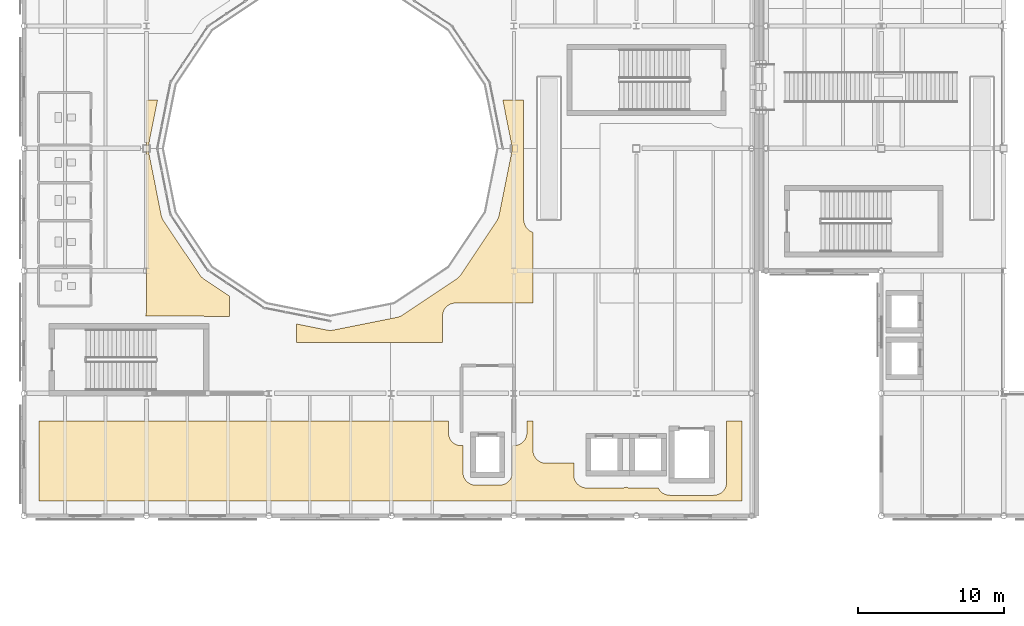
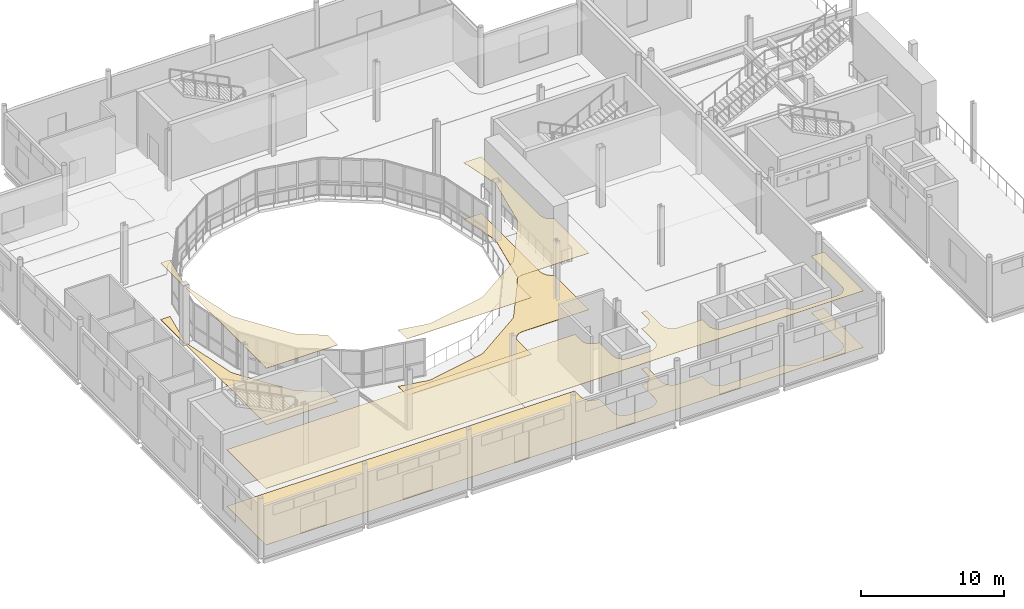
# One storey, part 87 of 104: 6 coverings.
"""IFC4 building model written with IfcOpenShell, lengths in metres."""

from ifc_helpers import new_model, si_unit, direction, frame, origin, place, context, subcontext, project, spatial, polyline, outline, extrude, material, layer, layer_set, type_object, element, save


model = new_model("IFC4")

# Units and contexts
model_context = context("Model", 3, precision=1e-05, world=origin(), true_north=direction((0.0, 1.0)))
body_context = subcontext(model_context, "Body", "Model", "MODEL_VIEW")
ifc_project = project(units=[si_unit("LENGTHUNIT", "METRE"), si_unit("AREAUNIT", "SQUARE_METRE"), si_unit("VOLUMEUNIT", "CUBIC_METRE"), si_unit("PLANEANGLEUNIT", "RADIAN"), si_unit("MASSUNIT", "GRAM", prefix="KILO"), si_unit("THERMODYNAMICTEMPERATUREUNIT", "KELVIN")], contexts=[model_context])

# Site, building, storey
site_placement = place(None, origin())
site = spatial("IfcSite", under=ifc_project, at=site_placement, CompositionType="ELEMENT")
building_placement = place(site_placement, origin())
building = spatial("IfcBuilding", under=site, at=building_placement, Name="Lustrewick Department Store", CompositionType="ELEMENT")
storey_placement = place(building_placement, frame((0.0, 0.0, 11.39990234375)))
storey = spatial("IfcBuildingStorey", under=building, at=storey_placement, Name="L03", CompositionType="ELEMENT", Elevation=11.39990234375)

# Coverings
ifc_material_1 = material(Name="Perforated mineral-fibre acoustic ceiling board", Category="gypsum")
ifc_layer_1 = layer(ifc_material_1, 0.02490234375, Name="Perforated mineral-fibre acoustic ceiling board")
ifc_layer_set_1 = layer_set([ifc_layer_1], Name="Perforated mineral-fibre acoustic ceiling board")
covering_type_1 = type_object("IfcCoveringType", Name="COV-CEIL", PredefinedType="CEILING", material=ifc_layer_set_1)
covering_1_placement = place(storey_placement, frame((0.0, 0.0, 4.820068359375)))
element("IfcCovering", 1, at=covering_1_placement, inside=storey, type_object=covering_type_1, Name="L03 V1 Retail Merchandise Gallery 1 Acoustic Ceiling", PredefinedType="CEILING", context=body_context, shape_type="SweptSolid", body=[
    extrude(outline(polyline([(9.419921875, 48.510009765625), (9.419921875, 43.02001953125), (57.6298828125, 43.02001953125), (57.6298828125, 48.510009765625), (56.590087890625, 48.510009765625), (56.590087890625, 44.297119140625), (56.585693359375, 44.21240234375), (56.5732421875, 44.12841796875), (56.572509765625, 44.125), (56.56884765625, 44.107421875), (56.568115234375, 44.104248046875), (56.54541015625, 44.021484375), (56.5146484375, 43.94140625), (56.513427734375, 43.938720703125), (56.51220703125, 43.936279296875), (56.47900390625, 43.869384765625), (56.476806640625, 43.865478515625), (56.439208984375, 43.80419921875), (56.396484375, 43.74609375), (56.392822265625, 43.741455078125), (56.329345703125, 43.670654296875), (56.258544921875, 43.607177734375), (56.25390625, 43.603515625), (56.19580078125, 43.560791015625), (56.134521484375, 43.523193359375), (56.130615234375, 43.52099609375), (56.063720703125, 43.48779296875), (56.061279296875, 43.486572265625), (56.05859375, 43.4853515625), (55.978515625, 43.45458984375), (55.895751953125, 43.431884765625), (55.892578125, 43.43115234375), (55.875, 43.427490234375), (55.87158203125, 43.4267578125), (55.78759765625, 43.414306640625), (55.702880859375, 43.409912109375), (52.697021484375, 43.409912109375), (52.6123046875, 43.414306640625), (52.5283203125, 43.4267578125), (52.52490234375, 43.427490234375), (52.507568359375, 43.43115234375), (52.50439453125, 43.431884765625), (52.42138671875, 43.45458984375), (52.341552734375, 43.4853515625), (52.3388671875, 43.486572265625), (52.336181640625, 43.48779296875), (52.26953125, 43.52099609375), (52.265625, 43.523193359375), (52.2041015625, 43.560791015625), (52.14599609375, 43.603515625), (52.141357421875, 43.607177734375), (52.070556640625, 43.670654296875), (52.007080078125, 43.741455078125), (52.00341796875, 43.74609375), (51.9609375, 43.80419921875), (51.92333984375, 43.865478515625), (51.921142578125, 43.869384765625), (51.90087890625, 43.909912109375), (49.9970703125, 43.909912109375), (49.912353515625, 43.914306640625), (49.828369140625, 43.9267578125), (49.824951171875, 43.927490234375), (49.8076171875, 43.93115234375), (49.80419921875, 43.931884765625), (49.721435546875, 43.95458984375), (49.699951171875, 43.962890625), (49.678466796875, 43.95458984375), (49.595703125, 43.931884765625), (49.592529296875, 43.93115234375), (49.574951171875, 43.927490234375), (49.571533203125, 43.9267578125), (49.48779296875, 43.914306640625), (49.403076171875, 43.909912109375), (46.9970703125, 43.909912109375), (46.912353515625, 43.914306640625), (46.828369140625, 43.9267578125), (46.824951171875, 43.927490234375), (46.8076171875, 43.93115234375), (46.80419921875, 43.931884765625), (46.721435546875, 43.95458984375), (46.6416015625, 43.9853515625), (46.638916015625, 43.986572265625), (46.63623046875, 43.98779296875), (46.569580078125, 44.02099609375), (46.565673828125, 44.023193359375), (46.504150390625, 44.060791015625), (46.446044921875, 44.103515625), (46.44140625, 44.107177734375), (46.37060546875, 44.170654296875), (46.30712890625, 44.241455078125), (46.303466796875, 44.24609375), (46.260986328125, 44.30419921875), (46.223388671875, 44.365478515625), (46.22119140625, 44.369384765625), (46.187744140625, 44.436279296875), (46.185302734375, 44.44140625), (46.154541015625, 44.521484375), (46.1318359375, 44.604248046875), (46.131103515625, 44.607421875), (46.12744140625, 44.625), (46.126708984375, 44.62841796875), (46.1142578125, 44.71240234375), (46.110107421875, 44.797119140625), (46.110107421875, 45.610107421875), (44.197021484375, 45.610107421875), (44.1123046875, 45.6142578125), (44.0283203125, 45.626708984375), (44.02490234375, 45.62744140625), (44.007568359375, 45.631103515625), (44.00439453125, 45.6318359375), (43.92138671875, 45.654541015625), (43.841552734375, 45.685302734375), (43.8388671875, 45.6865234375), (43.836181640625, 45.687744140625), (43.76953125, 45.72119140625), (43.765625, 45.723388671875), (43.7041015625, 45.760986328125), (43.64599609375, 45.803466796875), (43.641357421875, 45.80712890625), (43.570556640625, 45.87060546875), (43.507080078125, 45.94140625), (43.50341796875, 45.946044921875), (43.4609375, 46.004150390625), (43.42333984375, 46.065673828125), (43.421142578125, 46.069580078125), (43.3876953125, 46.13623046875), (43.385498046875, 46.1416015625), (43.3544921875, 46.221435546875), (43.331787109375, 46.30419921875), (43.3310546875, 46.3076171875), (43.327392578125, 46.324951171875), (43.32666015625, 46.328369140625), (43.314208984375, 46.412353515625), (43.31005859375, 46.4970703125), (43.31005859375, 48.510009765625), (42.889892578125, 48.510009765625), (42.889892578125, 47.697021484375), (42.8857421875, 47.6123046875), (42.873291015625, 47.5283203125), (42.87255859375, 47.52490234375), (42.868896484375, 47.507568359375), (42.8681640625, 47.50439453125), (42.845458984375, 47.42138671875), (42.814697265625, 47.341552734375), (42.8134765625, 47.3388671875), (42.812255859375, 47.336181640625), (42.77880859375, 47.26953125), (42.776611328125, 47.265625), (42.739013671875, 47.2041015625), (42.696533203125, 47.14599609375), (42.69287109375, 47.141357421875), (42.62939453125, 47.070556640625), (42.55859375, 47.007080078125), (42.553955078125, 47.00341796875), (42.495849609375, 46.9609375), (42.434326171875, 46.92333984375), (42.430419921875, 46.921142578125), (42.36376953125, 46.8876953125), (42.3583984375, 46.885498046875), (42.278564453125, 46.8544921875), (42.19580078125, 46.831787109375), (42.1923828125, 46.8310546875), (42.175048828125, 46.827392578125), (42.171630859375, 46.82666015625), (42.087646484375, 46.814208984375), (42.0029296875, 46.81005859375), (41.89990234375, 46.81005859375), (41.89990234375, 44.9990234375), (41.89892578125, 44.95703125), (41.898681640625, 44.951904296875), (41.889404296875, 44.86279296875), (41.888427734375, 44.85693359375), (41.87109375, 44.774169921875), (41.869873046875, 44.769287109375), (41.8583984375, 44.72998046875), (41.857177734375, 44.7255859375), (41.830322265625, 44.652587890625), (41.797119140625, 44.582275390625), (41.794921875, 44.578125), (41.776611328125, 44.545166015625), (41.7744140625, 44.54150390625), (41.74267578125, 44.491455078125), (41.739501953125, 44.4873046875), (41.692138671875, 44.424560546875), (41.638916015625, 44.3662109375), (41.6337890625, 44.361083984375), (41.575439453125, 44.307861328125), (41.5126953125, 44.260498046875), (41.508544921875, 44.25732421875), (41.45849609375, 44.2255859375), (41.454833984375, 44.223388671875), (41.421875, 44.205078125), (41.417724609375, 44.202880859375), (41.347412109375, 44.169677734375), (41.2744140625, 44.142822265625), (41.27001953125, 44.1416015625), (41.230712890625, 44.130126953125), (41.225830078125, 44.12890625), (41.14306640625, 44.111572265625), (41.13720703125, 44.110595703125), (41.048095703125, 44.101318359375), (41.04296875, 44.10107421875), (41.0009765625, 44.10009765625), (39.39892578125, 44.10009765625), (39.357177734375, 44.10107421875), (39.351806640625, 44.101318359375), (39.262939453125, 44.110595703125), (39.2568359375, 44.111572265625), (39.174072265625, 44.12890625), (39.169189453125, 44.130126953125), (39.130126953125, 44.1416015625), (39.12548828125, 44.142822265625), (39.052490234375, 44.169677734375), (38.982177734375, 44.202880859375), (38.97802734375, 44.205078125), (38.9453125, 44.223388671875), (38.94140625, 44.2255859375), (38.8916015625, 44.25732421875), (38.88720703125, 44.260498046875), (38.824462890625, 44.307861328125), (38.766357421875, 44.361083984375), (38.760986328125, 44.3662109375), (38.7080078125, 44.424560546875), (38.660400390625, 44.4873046875), (38.657470703125, 44.491455078125), (38.62548828125, 44.54150390625), (38.623291015625, 44.545166015625), (38.60498046875, 44.578125), (38.602783203125, 44.582275390625), (38.569580078125, 44.652587890625), (38.54296875, 44.7255859375), (38.54150390625, 44.72998046875), (38.530029296875, 44.769287109375), (38.52880859375, 44.774169921875), (38.511474609375, 44.85693359375), (38.510498046875, 44.86279296875), (38.501220703125, 44.951904296875), (38.5009765625, 44.95703125), (38.5, 44.9990234375), (38.5, 46.81005859375), (38.39697265625, 46.81005859375), (38.312255859375, 46.814208984375), (38.228515625, 46.82666015625), (38.22509765625, 46.827392578125), (38.20751953125, 46.8310546875), (38.204345703125, 46.831787109375), (38.12158203125, 46.8544921875), (38.04150390625, 46.885498046875), (38.036376953125, 46.8876953125), (37.969482421875, 46.921142578125), (37.965576171875, 46.92333984375), (37.904052734375, 46.9609375), (37.845947265625, 47.00341796875), (37.84130859375, 47.007080078125), (37.7705078125, 47.070556640625), (37.70703125, 47.141357421875), (37.70361328125, 47.14599609375), (37.660888671875, 47.2041015625), (37.623291015625, 47.265625), (37.62109375, 47.26953125), (37.587890625, 47.336181640625), (37.586669921875, 47.3388671875), (37.58544921875, 47.341552734375), (37.554443359375, 47.42138671875), (37.53173828125, 47.50439453125), (37.531005859375, 47.507568359375), (37.52734375, 47.52490234375), (37.526611328125, 47.5283203125), (37.51416015625, 47.6123046875), (37.510009765625, 47.697021484375), (37.510009765625, 48.510009765625), (9.419921875, 48.510009765625)])), origin(), (0.0, 0.0, 1.0), 0.025146484375),
])
covering_2_placement = place(storey_placement, frame((0.0, 0.0, 4.820068359375)))
element("IfcCovering", 2, at=covering_2_placement, inside=storey, type_object=covering_type_1, Name="L03 V1 Retail Merchandise Gallery 3 Acoustic Ceiling", PredefinedType="CEILING", context=body_context, shape_type="SweptSolid", body=[
    extrude(outline(polyline([(40.9912109375, 62.625732421875), (40.982177734375, 62.5849609375), (40.9765625, 62.56298828125), (40.95263671875, 62.48388671875), (40.944580078125, 62.4619140625), (40.913818359375, 62.38720703125), (40.903564453125, 62.36572265625), (40.86376953125, 62.29150390625), (40.852294921875, 62.272216796875), (40.830810546875, 62.23828125), (38.3583984375, 58.5380859375), (38.335205078125, 58.5048828125), (38.321533203125, 58.48681640625), (38.267578125, 58.421142578125), (38.251953125, 58.40380859375), (38.1962890625, 58.34814453125), (38.1787109375, 58.332275390625), (38.11328125, 58.2783203125), (38.094970703125, 58.264892578125), (38.061767578125, 58.241455078125), (34.36181640625, 55.769287109375), (34.327880859375, 55.747802734375), (34.30859375, 55.736083984375), (34.234375, 55.6962890625), (34.212890625, 55.686279296875), (34.137939453125, 55.6552734375), (34.115966796875, 55.6474609375), (34.037109375, 55.623291015625), (34.01513671875, 55.617919921875), (33.974365234375, 55.608642578125), (29.609619140625, 54.740478515625), (29.56591796875, 54.73291015625), (29.54345703125, 54.729736328125), (29.46630859375, 54.72216796875), (29.44287109375, 54.720947265625), (29.357177734375, 54.720947265625), (29.333740234375, 54.72216796875), (29.256591796875, 54.729736328125), (29.234130859375, 54.73291015625), (29.1904296875, 54.740478515625), (27.090087890625, 55.158203125), (27.090087890625, 53.889892578125), (37.110107421875, 53.889892578125), (37.110107421875, 55.702880859375), (37.1142578125, 55.78759765625), (37.126708984375, 55.87158203125), (37.12744140625, 55.875), (37.131103515625, 55.892578125), (37.1318359375, 55.895751953125), (37.154541015625, 55.978515625), (37.185302734375, 56.05859375), (37.187744140625, 56.063720703125), (37.22119140625, 56.130615234375), (37.223388671875, 56.134521484375), (37.260986328125, 56.19580078125), (37.303466796875, 56.25390625), (37.30712890625, 56.258544921875), (37.37060546875, 56.329345703125), (37.44140625, 56.392822265625), (37.446044921875, 56.396484375), (37.504150390625, 56.439208984375), (37.565673828125, 56.476806640625), (37.569580078125, 56.47900390625), (37.63623046875, 56.51220703125), (37.638916015625, 56.513427734375), (37.6416015625, 56.5146484375), (37.721435546875, 56.54541015625), (37.80419921875, 56.568115234375), (37.8076171875, 56.56884765625), (37.824951171875, 56.572509765625), (37.828369140625, 56.5732421875), (37.912353515625, 56.585693359375), (37.9970703125, 56.590087890625), (42.403076171875, 56.590087890625), (42.48779296875, 56.585693359375), (42.526611328125, 56.580078125), (43.31005859375, 56.580078125), (43.31005859375, 61.43115234375), (43.234619140625, 61.46240234375), (43.22216796875, 61.468505859375), (43.15185546875, 61.506103515625), (43.139892578125, 61.51318359375), (43.07080078125, 61.5595703125), (43.06005859375, 61.567626953125), (42.997802734375, 61.61865234375), (42.987548828125, 61.6279296875), (42.927978515625, 61.6875), (42.918701171875, 61.697998046875), (42.86767578125, 61.760009765625), (42.859619140625, 61.77099609375), (42.813232421875, 61.83984375), (42.80615234375, 61.851806640625), (42.768310546875, 61.922119140625), (42.762451171875, 61.9345703125), (42.72900390625, 62.015380859375), (42.724365234375, 62.028564453125), (42.70166015625, 62.103515625), (42.6982421875, 62.116943359375), (42.68115234375, 62.20263671875), (42.67919921875, 62.21630859375), (42.671630859375, 62.29345703125), (42.671142578125, 62.30615234375), (42.669921875, 62.34912109375), (42.669921875, 70.510009765625), (41.242919921875, 70.510009765625), (41.859619140625, 67.40966796875), (41.866943359375, 67.36572265625), (41.8701171875, 67.343505859375), (41.877685546875, 67.266357421875), (41.87890625, 67.242919921875), (41.87890625, 67.1572265625), (41.877685546875, 67.1337890625), (41.8701171875, 67.056396484375), (41.866943359375, 67.0341796875), (41.859619140625, 66.990478515625), (40.9912109375, 62.625732421875)])), origin(), (0.0, 0.0, 1.0), 0.025146484375),
])
covering_3_placement = place(storey_placement, frame((0.0, 0.0, 4.820068359375)))
element("IfcCovering", 3, at=covering_3_placement, inside=storey, type_object=covering_type_1, Name="L03 V1 Retail Merchandise Gallery 4 Acoustic Ceiling", PredefinedType="CEILING", context=body_context, shape_type="SweptSolid", body=[
    extrude(outline(polyline([(20.702880859375, 55.68994140625), (20.78759765625, 55.685791015625), (20.82666015625, 55.679931640625), (22.510009765625, 55.679931640625), (22.510009765625, 57.0576171875), (20.73828125, 58.241455078125), (20.705078125, 58.264892578125), (20.686767578125, 58.2783203125), (20.62109375, 58.332275390625), (20.603759765625, 58.34814453125), (20.548095703125, 58.40380859375), (20.5322265625, 58.421142578125), (20.478515625, 58.48681640625), (20.46484375, 58.5048828125), (20.44140625, 58.5380859375), (17.96923828125, 62.23828125), (17.94775390625, 62.272216796875), (17.936279296875, 62.29150390625), (17.896484375, 62.36572265625), (17.88623046875, 62.38720703125), (17.855224609375, 62.4619140625), (17.847412109375, 62.48388671875), (17.823486328125, 62.56298828125), (17.81787109375, 62.5849609375), (17.80859375, 62.625732421875), (16.9404296875, 66.990478515625), (16.93310546875, 67.0341796875), (16.9296875, 67.056396484375), (16.922119140625, 67.1337890625), (16.9208984375, 67.1572265625), (16.9208984375, 67.242919921875), (16.922119140625, 67.266357421875), (16.9296875, 67.343505859375), (16.93310546875, 67.36572265625), (16.9404296875, 67.40966796875), (17.55712890625, 70.510009765625), (16.7900390625, 70.510009765625), (16.7900390625, 55.9970703125), (16.785888671875, 55.912353515625), (16.773193359375, 55.828369140625), (16.772705078125, 55.824951171875), (16.768798828125, 55.8076171875), (16.768310546875, 55.80419921875), (16.74560546875, 55.721435546875), (16.7333984375, 55.68994140625), (20.702880859375, 55.68994140625)])), origin(), (0.0, 0.0, 1.0), 0.025146484375),
])
ifc_material_2 = material(Name="Polished terrazzo and porcelain floor finish", Category="masonry")
ifc_layer_2 = layer(ifc_material_2, 0.02001953125, Name="Polished terrazzo and porcelain floor finish")
ifc_layer_set_2 = layer_set([ifc_layer_2], Name="Polished terrazzo and porcelain floor finish")
covering_type_2 = type_object("IfcCoveringType", Name="COV-FLR", PredefinedType="FLOORING", material=ifc_layer_set_2)
covering_4_placement = place(storey_placement, origin())
element("IfcCovering", 4, at=covering_4_placement, inside=storey, type_object=covering_type_2, Name="L03 V1 Retail Merchandise Gallery 1 Terrazzo Flooring", PredefinedType="FLOORING", context=body_context, shape_type="SweptSolid", body=[
    extrude(outline(polyline([(9.419921875, 48.510009765625), (9.419921875, 43.02001953125), (57.6298828125, 43.02001953125), (57.6298828125, 48.510009765625), (56.590087890625, 48.510009765625), (56.590087890625, 44.297119140625), (56.585693359375, 44.21240234375), (56.5732421875, 44.12841796875), (56.572509765625, 44.125), (56.56884765625, 44.107421875), (56.568115234375, 44.104248046875), (56.54541015625, 44.021484375), (56.5146484375, 43.94140625), (56.513427734375, 43.938720703125), (56.51220703125, 43.936279296875), (56.47900390625, 43.869384765625), (56.476806640625, 43.865478515625), (56.439208984375, 43.80419921875), (56.396484375, 43.74609375), (56.392822265625, 43.741455078125), (56.329345703125, 43.670654296875), (56.258544921875, 43.607177734375), (56.25390625, 43.603515625), (56.19580078125, 43.560791015625), (56.134521484375, 43.523193359375), (56.130615234375, 43.52099609375), (56.063720703125, 43.48779296875), (56.061279296875, 43.486572265625), (56.05859375, 43.4853515625), (55.978515625, 43.45458984375), (55.895751953125, 43.431884765625), (55.892578125, 43.43115234375), (55.875, 43.427490234375), (55.87158203125, 43.4267578125), (55.78759765625, 43.414306640625), (55.702880859375, 43.409912109375), (52.697021484375, 43.409912109375), (52.6123046875, 43.414306640625), (52.5283203125, 43.4267578125), (52.52490234375, 43.427490234375), (52.507568359375, 43.43115234375), (52.50439453125, 43.431884765625), (52.42138671875, 43.45458984375), (52.341552734375, 43.4853515625), (52.3388671875, 43.486572265625), (52.336181640625, 43.48779296875), (52.26953125, 43.52099609375), (52.265625, 43.523193359375), (52.2041015625, 43.560791015625), (52.14599609375, 43.603515625), (52.141357421875, 43.607177734375), (52.070556640625, 43.670654296875), (52.007080078125, 43.741455078125), (52.00341796875, 43.74609375), (51.9609375, 43.80419921875), (51.92333984375, 43.865478515625), (51.921142578125, 43.869384765625), (51.90087890625, 43.909912109375), (49.9970703125, 43.909912109375), (49.912353515625, 43.914306640625), (49.828369140625, 43.9267578125), (49.824951171875, 43.927490234375), (49.8076171875, 43.93115234375), (49.80419921875, 43.931884765625), (49.721435546875, 43.95458984375), (49.699951171875, 43.962890625), (49.678466796875, 43.95458984375), (49.595703125, 43.931884765625), (49.592529296875, 43.93115234375), (49.574951171875, 43.927490234375), (49.571533203125, 43.9267578125), (49.48779296875, 43.914306640625), (49.403076171875, 43.909912109375), (46.9970703125, 43.909912109375), (46.912353515625, 43.914306640625), (46.828369140625, 43.9267578125), (46.824951171875, 43.927490234375), (46.8076171875, 43.93115234375), (46.80419921875, 43.931884765625), (46.721435546875, 43.95458984375), (46.6416015625, 43.9853515625), (46.638916015625, 43.986572265625), (46.63623046875, 43.98779296875), (46.569580078125, 44.02099609375), (46.565673828125, 44.023193359375), (46.504150390625, 44.060791015625), (46.446044921875, 44.103515625), (46.44140625, 44.107177734375), (46.37060546875, 44.170654296875), (46.30712890625, 44.241455078125), (46.303466796875, 44.24609375), (46.260986328125, 44.30419921875), (46.223388671875, 44.365478515625), (46.22119140625, 44.369384765625), (46.187744140625, 44.436279296875), (46.185302734375, 44.44140625), (46.154541015625, 44.521484375), (46.1318359375, 44.604248046875), (46.131103515625, 44.607421875), (46.12744140625, 44.625), (46.126708984375, 44.62841796875), (46.1142578125, 44.71240234375), (46.110107421875, 44.797119140625), (46.110107421875, 45.610107421875), (44.197021484375, 45.610107421875), (44.1123046875, 45.6142578125), (44.0283203125, 45.626708984375), (44.02490234375, 45.62744140625), (44.007568359375, 45.631103515625), (44.00439453125, 45.6318359375), (43.92138671875, 45.654541015625), (43.841552734375, 45.685302734375), (43.8388671875, 45.6865234375), (43.836181640625, 45.687744140625), (43.76953125, 45.72119140625), (43.765625, 45.723388671875), (43.7041015625, 45.760986328125), (43.64599609375, 45.803466796875), (43.641357421875, 45.80712890625), (43.570556640625, 45.87060546875), (43.507080078125, 45.94140625), (43.50341796875, 45.946044921875), (43.4609375, 46.004150390625), (43.42333984375, 46.065673828125), (43.421142578125, 46.069580078125), (43.3876953125, 46.13623046875), (43.385498046875, 46.1416015625), (43.3544921875, 46.221435546875), (43.331787109375, 46.30419921875), (43.3310546875, 46.3076171875), (43.327392578125, 46.324951171875), (43.32666015625, 46.328369140625), (43.314208984375, 46.412353515625), (43.31005859375, 46.4970703125), (43.31005859375, 48.510009765625), (42.889892578125, 48.510009765625), (42.889892578125, 47.697021484375), (42.8857421875, 47.6123046875), (42.873291015625, 47.5283203125), (42.87255859375, 47.52490234375), (42.868896484375, 47.507568359375), (42.8681640625, 47.50439453125), (42.845458984375, 47.42138671875), (42.814697265625, 47.341552734375), (42.8134765625, 47.3388671875), (42.812255859375, 47.336181640625), (42.77880859375, 47.26953125), (42.776611328125, 47.265625), (42.739013671875, 47.2041015625), (42.696533203125, 47.14599609375), (42.69287109375, 47.141357421875), (42.62939453125, 47.070556640625), (42.55859375, 47.007080078125), (42.553955078125, 47.00341796875), (42.495849609375, 46.9609375), (42.434326171875, 46.92333984375), (42.430419921875, 46.921142578125), (42.36376953125, 46.8876953125), (42.3583984375, 46.885498046875), (42.278564453125, 46.8544921875), (42.19580078125, 46.831787109375), (42.1923828125, 46.8310546875), (42.175048828125, 46.827392578125), (42.171630859375, 46.82666015625), (42.087646484375, 46.814208984375), (42.0029296875, 46.81005859375), (41.89990234375, 46.81005859375), (41.89990234375, 44.9990234375), (41.89892578125, 44.95703125), (41.898681640625, 44.951904296875), (41.889404296875, 44.86279296875), (41.888427734375, 44.85693359375), (41.87109375, 44.774169921875), (41.869873046875, 44.769287109375), (41.8583984375, 44.72998046875), (41.857177734375, 44.7255859375), (41.830322265625, 44.652587890625), (41.797119140625, 44.582275390625), (41.794921875, 44.578125), (41.776611328125, 44.545166015625), (41.7744140625, 44.54150390625), (41.74267578125, 44.491455078125), (41.739501953125, 44.4873046875), (41.692138671875, 44.424560546875), (41.638916015625, 44.3662109375), (41.6337890625, 44.361083984375), (41.575439453125, 44.307861328125), (41.5126953125, 44.260498046875), (41.508544921875, 44.25732421875), (41.45849609375, 44.2255859375), (41.454833984375, 44.223388671875), (41.421875, 44.205078125), (41.417724609375, 44.202880859375), (41.347412109375, 44.169677734375), (41.2744140625, 44.142822265625), (41.27001953125, 44.1416015625), (41.230712890625, 44.130126953125), (41.225830078125, 44.12890625), (41.14306640625, 44.111572265625), (41.13720703125, 44.110595703125), (41.048095703125, 44.101318359375), (41.04296875, 44.10107421875), (41.0009765625, 44.10009765625), (39.39892578125, 44.10009765625), (39.357177734375, 44.10107421875), (39.351806640625, 44.101318359375), (39.262939453125, 44.110595703125), (39.2568359375, 44.111572265625), (39.174072265625, 44.12890625), (39.169189453125, 44.130126953125), (39.130126953125, 44.1416015625), (39.12548828125, 44.142822265625), (39.052490234375, 44.169677734375), (38.982177734375, 44.202880859375), (38.97802734375, 44.205078125), (38.9453125, 44.223388671875), (38.94140625, 44.2255859375), (38.8916015625, 44.25732421875), (38.88720703125, 44.260498046875), (38.824462890625, 44.307861328125), (38.766357421875, 44.361083984375), (38.760986328125, 44.3662109375), (38.7080078125, 44.424560546875), (38.660400390625, 44.4873046875), (38.657470703125, 44.491455078125), (38.62548828125, 44.54150390625), (38.623291015625, 44.545166015625), (38.60498046875, 44.578125), (38.602783203125, 44.582275390625), (38.569580078125, 44.652587890625), (38.54296875, 44.7255859375), (38.54150390625, 44.72998046875), (38.530029296875, 44.769287109375), (38.52880859375, 44.774169921875), (38.511474609375, 44.85693359375), (38.510498046875, 44.86279296875), (38.501220703125, 44.951904296875), (38.5009765625, 44.95703125), (38.5, 44.9990234375), (38.5, 46.81005859375), (38.39697265625, 46.81005859375), (38.312255859375, 46.814208984375), (38.228515625, 46.82666015625), (38.22509765625, 46.827392578125), (38.20751953125, 46.8310546875), (38.204345703125, 46.831787109375), (38.12158203125, 46.8544921875), (38.04150390625, 46.885498046875), (38.036376953125, 46.8876953125), (37.969482421875, 46.921142578125), (37.965576171875, 46.92333984375), (37.904052734375, 46.9609375), (37.845947265625, 47.00341796875), (37.84130859375, 47.007080078125), (37.7705078125, 47.070556640625), (37.70703125, 47.141357421875), (37.70361328125, 47.14599609375), (37.660888671875, 47.2041015625), (37.623291015625, 47.265625), (37.62109375, 47.26953125), (37.587890625, 47.336181640625), (37.586669921875, 47.3388671875), (37.58544921875, 47.341552734375), (37.554443359375, 47.42138671875), (37.53173828125, 47.50439453125), (37.531005859375, 47.507568359375), (37.52734375, 47.52490234375), (37.526611328125, 47.5283203125), (37.51416015625, 47.6123046875), (37.510009765625, 47.697021484375), (37.510009765625, 48.510009765625), (9.419921875, 48.510009765625)])), origin(), (0.0, 0.0, 1.0), 0.02001953125),
])
covering_5_placement = place(storey_placement, origin())
element("IfcCovering", 5, at=covering_5_placement, inside=storey, type_object=covering_type_2, Name="L03 V1 Retail Merchandise Gallery 3 Terrazzo Flooring", PredefinedType="FLOORING", context=body_context, shape_type="SweptSolid", body=[
    extrude(outline(polyline([(40.9912109375, 62.625732421875), (40.982177734375, 62.5849609375), (40.9765625, 62.56298828125), (40.95263671875, 62.48388671875), (40.944580078125, 62.4619140625), (40.913818359375, 62.38720703125), (40.903564453125, 62.36572265625), (40.86376953125, 62.29150390625), (40.852294921875, 62.272216796875), (40.830810546875, 62.23828125), (38.3583984375, 58.5380859375), (38.335205078125, 58.5048828125), (38.321533203125, 58.48681640625), (38.267578125, 58.421142578125), (38.251953125, 58.40380859375), (38.1962890625, 58.34814453125), (38.1787109375, 58.332275390625), (38.11328125, 58.2783203125), (38.094970703125, 58.264892578125), (38.061767578125, 58.241455078125), (34.36181640625, 55.769287109375), (34.327880859375, 55.747802734375), (34.30859375, 55.736083984375), (34.234375, 55.6962890625), (34.212890625, 55.686279296875), (34.137939453125, 55.6552734375), (34.115966796875, 55.6474609375), (34.037109375, 55.623291015625), (34.01513671875, 55.617919921875), (33.974365234375, 55.608642578125), (29.609619140625, 54.740478515625), (29.56591796875, 54.73291015625), (29.54345703125, 54.729736328125), (29.46630859375, 54.72216796875), (29.44287109375, 54.720947265625), (29.357177734375, 54.720947265625), (29.333740234375, 54.72216796875), (29.256591796875, 54.729736328125), (29.234130859375, 54.73291015625), (29.1904296875, 54.740478515625), (27.090087890625, 55.158203125), (27.090087890625, 53.889892578125), (37.110107421875, 53.889892578125), (37.110107421875, 55.702880859375), (37.1142578125, 55.78759765625), (37.126708984375, 55.87158203125), (37.12744140625, 55.875), (37.131103515625, 55.892578125), (37.1318359375, 55.895751953125), (37.154541015625, 55.978515625), (37.185302734375, 56.05859375), (37.187744140625, 56.063720703125), (37.22119140625, 56.130615234375), (37.223388671875, 56.134521484375), (37.260986328125, 56.19580078125), (37.303466796875, 56.25390625), (37.30712890625, 56.258544921875), (37.37060546875, 56.329345703125), (37.44140625, 56.392822265625), (37.446044921875, 56.396484375), (37.504150390625, 56.439208984375), (37.565673828125, 56.476806640625), (37.569580078125, 56.47900390625), (37.63623046875, 56.51220703125), (37.638916015625, 56.513427734375), (37.6416015625, 56.5146484375), (37.721435546875, 56.54541015625), (37.80419921875, 56.568115234375), (37.8076171875, 56.56884765625), (37.824951171875, 56.572509765625), (37.828369140625, 56.5732421875), (37.912353515625, 56.585693359375), (37.9970703125, 56.590087890625), (42.403076171875, 56.590087890625), (42.48779296875, 56.585693359375), (42.526611328125, 56.580078125), (43.31005859375, 56.580078125), (43.31005859375, 61.43115234375), (43.234619140625, 61.46240234375), (43.22216796875, 61.468505859375), (43.15185546875, 61.506103515625), (43.139892578125, 61.51318359375), (43.07080078125, 61.5595703125), (43.06005859375, 61.567626953125), (42.997802734375, 61.61865234375), (42.987548828125, 61.6279296875), (42.927978515625, 61.6875), (42.918701171875, 61.697998046875), (42.86767578125, 61.760009765625), (42.859619140625, 61.77099609375), (42.813232421875, 61.83984375), (42.80615234375, 61.851806640625), (42.768310546875, 61.922119140625), (42.762451171875, 61.9345703125), (42.72900390625, 62.015380859375), (42.724365234375, 62.028564453125), (42.70166015625, 62.103515625), (42.6982421875, 62.116943359375), (42.68115234375, 62.20263671875), (42.67919921875, 62.21630859375), (42.671630859375, 62.29345703125), (42.671142578125, 62.30615234375), (42.669921875, 62.34912109375), (42.669921875, 70.510009765625), (41.242919921875, 70.510009765625), (41.859619140625, 67.40966796875), (41.866943359375, 67.36572265625), (41.8701171875, 67.343505859375), (41.877685546875, 67.266357421875), (41.87890625, 67.242919921875), (41.87890625, 67.1572265625), (41.877685546875, 67.1337890625), (41.8701171875, 67.056396484375), (41.866943359375, 67.0341796875), (41.859619140625, 66.990478515625), (40.9912109375, 62.625732421875)])), origin(), (0.0, 0.0, 1.0), 0.02001953125),
])
covering_6_placement = place(storey_placement, origin())
element("IfcCovering", 6, at=covering_6_placement, inside=storey, type_object=covering_type_2, Name="L03 V1 Retail Merchandise Gallery 4 Terrazzo Flooring", PredefinedType="FLOORING", context=body_context, shape_type="SweptSolid", body=[
    extrude(outline(polyline([(20.702880859375, 55.68994140625), (20.78759765625, 55.685791015625), (20.82666015625, 55.679931640625), (22.510009765625, 55.679931640625), (22.510009765625, 57.0576171875), (20.73828125, 58.241455078125), (20.705078125, 58.264892578125), (20.686767578125, 58.2783203125), (20.62109375, 58.332275390625), (20.603759765625, 58.34814453125), (20.548095703125, 58.40380859375), (20.5322265625, 58.421142578125), (20.478515625, 58.48681640625), (20.46484375, 58.5048828125), (20.44140625, 58.5380859375), (17.96923828125, 62.23828125), (17.94775390625, 62.272216796875), (17.936279296875, 62.29150390625), (17.896484375, 62.36572265625), (17.88623046875, 62.38720703125), (17.855224609375, 62.4619140625), (17.847412109375, 62.48388671875), (17.823486328125, 62.56298828125), (17.81787109375, 62.5849609375), (17.80859375, 62.625732421875), (16.9404296875, 66.990478515625), (16.93310546875, 67.0341796875), (16.9296875, 67.056396484375), (16.922119140625, 67.1337890625), (16.9208984375, 67.1572265625), (16.9208984375, 67.242919921875), (16.922119140625, 67.266357421875), (16.9296875, 67.343505859375), (16.93310546875, 67.36572265625), (16.9404296875, 67.40966796875), (17.55712890625, 70.510009765625), (16.7900390625, 70.510009765625), (16.7900390625, 55.9970703125), (16.785888671875, 55.912353515625), (16.773193359375, 55.828369140625), (16.772705078125, 55.824951171875), (16.768798828125, 55.8076171875), (16.768310546875, 55.80419921875), (16.74560546875, 55.721435546875), (16.7333984375, 55.68994140625), (20.702880859375, 55.68994140625)])), origin(), (0.0, 0.0, 1.0), 0.02001953125),
])

save(model, "model.ifc")
